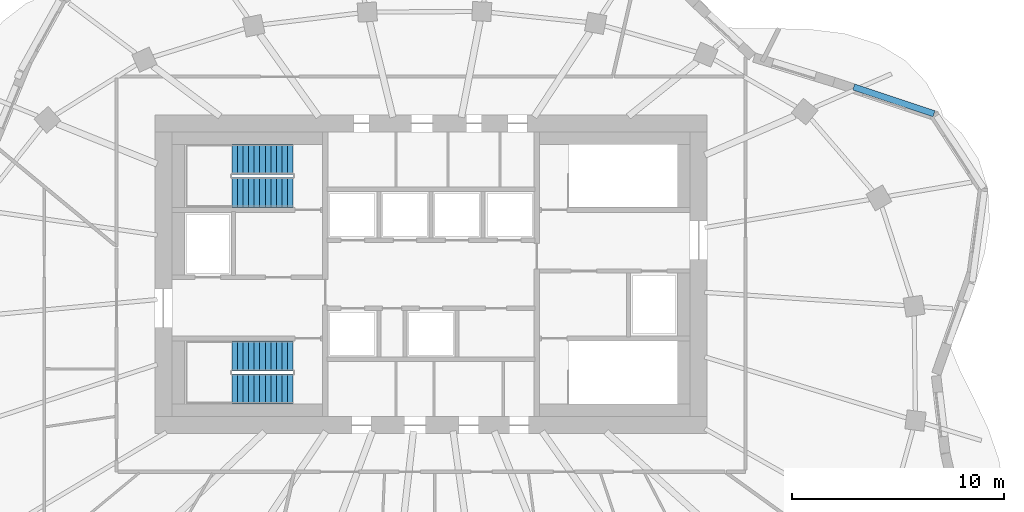
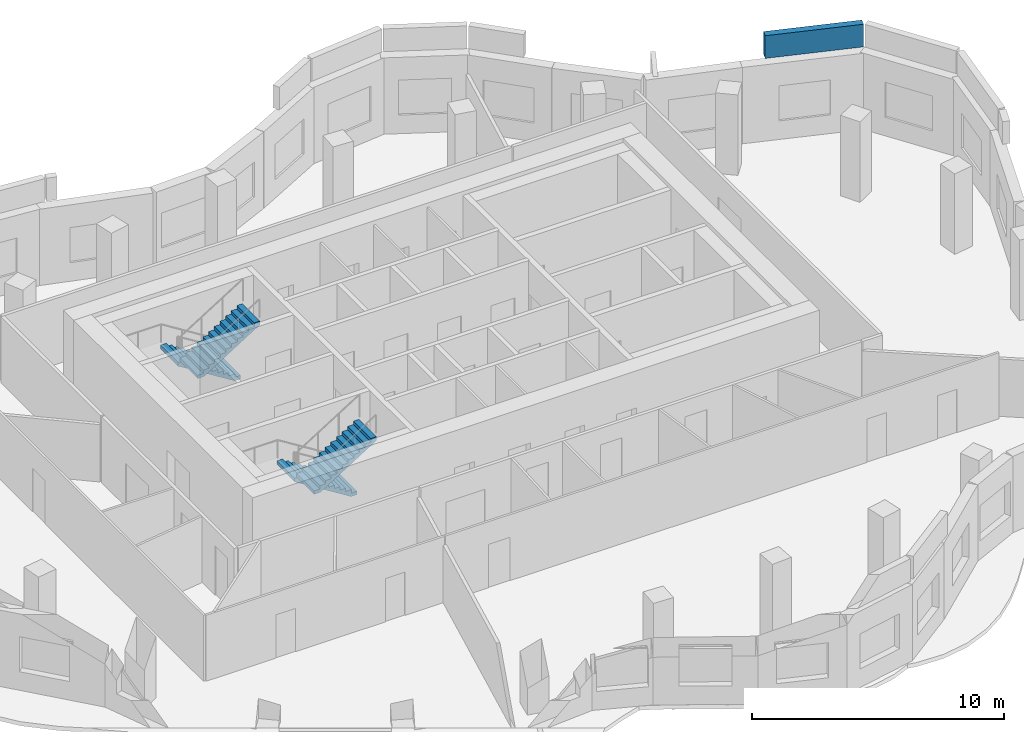
# One storey, part 8 of 9: 4 stair flights, 1 wall, 2 elements without a shape of their own.
"""IFC4 building model written with IfcOpenShell, lengths in metres."""

import ifcopenshell
import ifcopenshell.guid

model = None  # the IFC model being written
_history = None  # IfcOwnerHistory: only IFC2X3 demands one
_inside = {}  # id of a spatial element -> (the spatial element, [elements in it])
_under = {}  # id of a project, library or spatial element -> (it, [spatial elements below it])
_declared = {}  # id of a project -> (the project, [libraries it declares])
_typed = {}  # id of a type object -> (the type object, [elements of that type])
_made_of = {}  # id of a material, layer set ... -> (it, [elements and type objects made of it])


def new_model(schema):
    """Start an empty IFC model of exactly this schema.

    Asked for "IFC4X3", IfcOpenShell would pick the latest addendum, in which some entities
    have other attributes; the version numbers below select the first issue.
    IFC2X3 requires an IfcOwnerHistory on every rooted entity: one is made here for all.
    """
    global model, _history
    if schema == "IFC4X3":
        model = ifcopenshell.file(schema_version=(4, 3, 0, 0))
    else:
        model = ifcopenshell.file(schema=schema)
    _inside.clear()
    _under.clear()
    _declared.clear()
    _typed.clear()
    _made_of.clear()
    _history = None
    if model.schema == "IFC2X3":
        org = make("IfcOrganization", Name="unknown")
        user = make(
            "IfcPersonAndOrganization",
            ThePerson=make("IfcPerson", FamilyName="unknown"),
            TheOrganization=org,
        )
        app = make(
            "IfcApplication",
            ApplicationDeveloper=org,
            Version="unknown",
            ApplicationFullName="unknown",
            ApplicationIdentifier="unknown",
        )
        _history = make(
            "IfcOwnerHistory",
            OwningUser=user,
            OwningApplication=app,
            ChangeAction="ADDED",
            CreationDate=0,
        )
    return model


def make(cls, **values):
    """One entity of the class cls with the attributes given. An attribute that is None is left unset."""
    return model.create_entity(
        cls, **{name: value for name, value in values.items() if value is not None}
    )


def rooted(cls, **values):
    """An entity with a GlobalId (a new one), such as an element, a storey or a relation."""
    return make(cls, GlobalId=ifcopenshell.guid.new(), OwnerHistory=_history, **values)


def si_unit(unit_type, name, prefix=None):
    """IfcSIUnit, for example si_unit("LENGTHUNIT", "METRE", prefix="MILLI")."""
    return make("IfcSIUnit", UnitType=unit_type, Prefix=prefix, Name=name)


def assignment(units):
    """IfcUnitAssignment: the units of a project."""
    return None if units is None else make("IfcUnitAssignment", Units=units)


def point(xyz):
    """IfcCartesianPoint."""
    return None if xyz is None else make("IfcCartesianPoint", Coordinates=xyz)


def direction(xyz):
    """IfcDirection."""
    return None if xyz is None else make("IfcDirection", DirectionRatios=xyz)


def frame(location, z_axis=None, x_axis=None):
    """IfcAxis2Placement3D, a coordinate frame: its origin and axes. An axis left out is left unset."""
    return make(
        "IfcAxis2Placement3D",
        Location=point(location),
        Axis=direction(z_axis),
        RefDirection=direction(x_axis),
    )


def frame_2d(location, x_axis=None):
    """IfcAxis2Placement2D, a coordinate frame in the plane: its origin and x axis."""
    return make(
        "IfcAxis2Placement2D", Location=point(location), RefDirection=direction(x_axis)
    )


def origin():
    """The frame at (0, 0, 0) with its axes left unset."""
    return frame((0.0, 0.0, 0.0))


def place(relative_to, where):
    """IfcLocalPlacement: puts the frame where relative to a parent placement (None: the world)."""
    return make(
        "IfcLocalPlacement", PlacementRelTo=relative_to, RelativePlacement=where
    )


def context(
    kind, dimensions, precision=None, world=None, true_north=None, identifier=None
):
    """IfcGeometricRepresentationContext, for example the 3D "Model" context."""
    return make(
        "IfcGeometricRepresentationContext",
        ContextIdentifier=identifier,
        ContextType=kind,
        CoordinateSpaceDimension=dimensions,
        Precision=precision,
        WorldCoordinateSystem=world,
        TrueNorth=true_north,
    )


def subcontext(parent, identifier, kind, view, scale=None):
    """IfcGeometricRepresentationSubContext, for example "Body" below "Model"."""
    return make(
        "IfcGeometricRepresentationSubContext",
        ContextIdentifier=identifier,
        ContextType=kind,
        ParentContext=parent,
        TargetScale=scale,
        TargetView=view,
    )


def project(units=None, contexts=None):
    """IfcProject with its units and contexts."""
    return rooted(
        "IfcProject",
        Name="project",
        RepresentationContexts=contexts,
        UnitsInContext=assignment(units),
    )


def spatial(cls, under=None, at=None, **own):
    """A site, building, storey or space (cls), placed at a placement, below another one or the project."""
    s = rooted(cls, ObjectPlacement=at, **own)
    if under is not None:
        _under.setdefault(under.id(), (under, []))[1].append(s)
    return s


def polyline(points):
    """IfcPolyline through the points."""
    return make("IfcPolyline", Points=[point(p) for p in points])


def profile(cls, at=None, kind="AREA", **sizes):
    """A parametric profile (cls). Its sizes go by their IFC names, for example OverallWidth=200.0."""
    return make(cls, ProfileType=kind, Position=at, **sizes)


def rectangle(**sizes):
    """IfcRectangleProfileDef."""
    return profile("IfcRectangleProfileDef", **sizes)


def outline(outer, holes=None, kind="AREA"):
    """IfcArbitraryClosedProfileDef: a profile drawn as a closed curve; with holes, ...WithVoids."""
    if holes is None:
        return make("IfcArbitraryClosedProfileDef", ProfileType=kind, OuterCurve=outer)
    return make(
        "IfcArbitraryProfileDefWithVoids",
        ProfileType=kind,
        OuterCurve=outer,
        InnerCurves=holes,
    )


def extrude(swept, where, along, depth):
    """IfcExtrudedAreaSolid: the profile swept, set in the frame where, extruded along a direction by depth."""
    return make(
        "IfcExtrudedAreaSolid",
        SweptArea=swept,
        Position=where,
        ExtrudedDirection=direction(along),
        Depth=depth,
    )


def shape(context_of_items, identifier, shape_type, items):
    """IfcShapeRepresentation: the items that make up one representation, for example the "Body"."""
    return make(
        "IfcShapeRepresentation",
        ContextOfItems=context_of_items,
        RepresentationIdentifier=identifier,
        RepresentationType=shape_type,
        Items=items,
    )


def material(Name=None, Category=None):
    """IfcMaterial."""
    return make("IfcMaterial", Name=Name, Category=Category)


def layer(
    of_material, thickness, ventilated=None, Name=None, Category=None, Priority=None
):
    """IfcMaterialLayer: one layer of a wall or slab, of a material (None: an air gap)."""
    return make(
        "IfcMaterialLayer",
        Material=of_material,
        LayerThickness=thickness,
        IsVentilated=ventilated,
        Name=Name,
        Category=Category,
        Priority=Priority,
    )


def layer_set(layers, Name=None):
    """IfcMaterialLayerSet."""
    return make("IfcMaterialLayerSet", MaterialLayers=layers, LayerSetName=Name)


def made_of(thing, what):
    """Note that an element or type object is made of a material, layer set ...; save() writes the relation."""
    if what is not None:
        _made_of.setdefault(what.id(), (what, []))[1].append(thing)
    return thing


def type_object(cls, material=None, **own):
    """A type object (cls), such as IfcWallType, which elements share."""
    return made_of(rooted(cls, **own), material)


def element(
    cls,
    number,
    at=None,
    inside=None,
    cuts=None,
    type_object=None,
    material=None,
    context=None,
    identifier="Body",
    shape_type=None,
    held_by="IfcProductDefinitionShape",
    body=None,
    shapes=None,
    **own,
):
    """One element of the class cls, such as IfcWall. Its Tag is "e" and its number.

    at: its placement. inside: the storey or other place that contains it. cuts: it is an
    opening in that element (IfcRelVoidsElement). A single representation is given by context,
    identifier, shape_type and body (its items); several are given by shapes. held_by: the class
    of the entity that holds the representations. save() writes the other relations.
    """
    e = rooted(cls, Tag="e%d" % number, ObjectPlacement=at, **own)
    if body is not None:
        shapes = [shape(context, identifier, shape_type, body)]
    if shapes is not None:
        e.Representation = make(held_by, Representations=shapes)
    if inside is not None:
        _inside.setdefault(inside.id(), (inside, []))[1].append(e)
    if cuts is not None:
        rooted(
            "IfcRelVoidsElement", RelatingBuildingElement=cuts, RelatedOpeningElement=e
        )
    if type_object is not None:
        _typed.setdefault(type_object.id(), (type_object, []))[1].append(e)
    return made_of(e, material)


def aggregate(whole, parts):
    """IfcRelAggregates: a whole, such as a stair, and the parts it consists of."""
    return rooted("IfcRelAggregates", RelatingObject=whole, RelatedObjects=parts)


def save(model, path):
    """Write the relations noted so far, then the file.

    IfcRelAggregates (storeys below a building ...), IfcRelContainedInSpatialStructure (elements
    in a storey), IfcRelDefinesByType, IfcRelAssociatesMaterial and IfcRelDeclares: one each for
    every whole, place, type object, material and project.
    """
    for whole, parts in _under.values():
        aggregate(whole, parts)
    for where, things in _inside.values():
        rooted(
            "IfcRelContainedInSpatialStructure",
            RelatedElements=things,
            RelatingStructure=where,
        )
    for kind, things in _typed.values():
        rooted("IfcRelDefinesByType", RelatedObjects=things, RelatingType=kind)
    for what, things in _made_of.values():
        rooted("IfcRelAssociatesMaterial", RelatedObjects=things, RelatingMaterial=what)
    for by, libraries in _declared.values():
        rooted("IfcRelDeclares", RelatingContext=by, RelatedDefinitions=libraries)
    model.write(path)


model = new_model("IFC4")

# Units and contexts
model_context = context("Model", 3, precision=1e-05, world=origin(), true_north=direction((0.0, 1.0)))
body_context = subcontext(model_context, "Body", "Model", "MODEL_VIEW")
ifc_project = project(units=[si_unit("LENGTHUNIT", "METRE"), si_unit("AREAUNIT", "SQUARE_METRE"), si_unit("VOLUMEUNIT", "CUBIC_METRE"), si_unit("PLANEANGLEUNIT", "RADIAN"), si_unit("MASSUNIT", "GRAM", prefix="KILO")], contexts=[model_context])

# Site, building, storey
site_placement = place(None, origin())
site = spatial("IfcSite", under=ifc_project, at=site_placement, CompositionType="ELEMENT")
building_placement = place(site_placement, origin())
building = spatial("IfcBuilding", under=site, at=building_placement, Name="Rubra Terraces Tower", CompositionType="ELEMENT")
storey_placement = place(building_placement, frame((0.0, 0.0, 303.89990234375)))
storey = spatial("IfcBuildingStorey", under=building, at=storey_placement, Name="L75", CompositionType="ELEMENT", Elevation=303.89990234375)

# Wall
ifc_material_1 = material(Name="Brick masonry red-brown", Category="masonry")
ifc_layer = layer(ifc_material_1, 0.300048828125)
ifc_layer_set = layer_set([ifc_layer], Name="Brick masonry red-brown")
wall_type = type_object("IfcWallType", Name="Brick parapet 300", PredefinedType="PARAPET", material=ifc_layer_set)
wall_placement = place(storey_placement, frame((23.669677734375, 12.05029296875, 3.900146484375), z_axis=(0.0, 0.0, 1.0), x_axis=(-0.948652636514, 0.316319735766, 0.0)))
element("IfcWall", 1, at=wall_placement, inside=storey, type_object=wall_type, Name="Parapet L75 bay 4", PredefinedType="PARAPET", context=body_context, shape_type="SweptSolid", body=[
    extrude(rectangle(XDim=3.981689453125, YDim=0.300048828125, at=frame_2d((1.99072265625, 0.0))), origin(), (0.0, 0.0, 1.0), 1.099853515625),
])

# Stair, stair flights
ifc_material_2 = material(Name="Concrete C40", Category="concrete")
stair_type = type_object("IfcStairType", Name="Core stair 1400", PredefinedType="HALF_TURN_STAIR", material=ifc_material_2)
stair_1_placement = place(storey_placement, origin())
stair_1 = element("IfcStair", 2, at=stair_1_placement, inside=storey, type_object=stair_type, Name="L75 Exit stair S1", PredefinedType="HALF_TURN_STAIR")
stair_flight_type = type_object("IfcStairFlightType", Name="Core stair flight 1400", PredefinedType="STRAIGHT", material=ifc_material_2)
stair_flight_1_placement = place(storey_placement, frame((-6.5, 0.64990234375, 0.0), z_axis=(0.0, 0.0, 1.0), x_axis=(-1.0, 0.0, 0.0)))
stair_flight_1 = element("IfcStairFlight", 3, at=stair_flight_1_placement, type_object=stair_flight_type, Name="S1 flight 1", NumberOfRisers=12, NumberOfTreads=11, PredefinedType="STRAIGHT", RiserHeight=0.1625, TreadLength=0.26, context=body_context, shape_type="SweptSolid", body=[
    extrude(outline(polyline([(0.0, 0.0), (0.0, 0.16259765625), (0.260009765625, 0.16259765625), (0.260009765625, 0.324951171875), (0.52001953125, 0.324951171875), (0.52001953125, 0.487548828125), (0.780029296875, 0.487548828125), (0.780029296875, 0.64990234375), (1.0400390625, 0.64990234375), (1.0400390625, 0.8125), (1.300048828125, 0.8125), (1.300048828125, 0.97509765625), (1.56005859375, 0.97509765625), (1.56005859375, 1.137451171875), (1.820068359375, 1.137451171875), (1.820068359375, 1.300048828125), (2.080078125, 1.300048828125), (2.080078125, 1.46240234375), (2.340087890625, 1.46240234375), (2.340087890625, 1.625), (2.60009765625, 1.625), (2.60009765625, 1.78759765625), (2.860107421875, 1.78759765625), (2.860107421875, 1.949951171875), (2.860107421875, 1.61083984375), (0.28271484375, 0.0), (0.0, 0.0)])), frame((0.0, 0.699951171875, 0.0), z_axis=(0.0, -1.0, 0.0), x_axis=(1.0, 0.0, 0.0)), (0.0, 0.0, 1.0), 1.39990234375),
])
stair_flight_2_placement = place(storey_placement, frame((-9.360107421875, -0.89990234375, 1.9501953125), z_axis=(0.0, 0.0, 1.0), x_axis=(1.0, 0.0, 0.0)))
stair_flight_2 = element("IfcStairFlight", 4, at=stair_flight_2_placement, type_object=stair_flight_type, Name="S1 flight 2", NumberOfRisers=12, NumberOfTreads=11, PredefinedType="STRAIGHT", RiserHeight=0.1625, TreadLength=0.26, context=body_context, shape_type="SweptSolid", body=[
    extrude(outline(polyline([(0.0, 0.0), (0.0, 0.16259765625), (0.260009765625, 0.16259765625), (0.260009765625, 0.324951171875), (0.52001953125, 0.324951171875), (0.52001953125, 0.487548828125), (0.780029296875, 0.487548828125), (0.780029296875, 0.64990234375), (1.0400390625, 0.64990234375), (1.0400390625, 0.8125), (1.300048828125, 0.8125), (1.300048828125, 0.97509765625), (1.56005859375, 0.97509765625), (1.56005859375, 1.137451171875), (1.820068359375, 1.137451171875), (1.820068359375, 1.300048828125), (2.080078125, 1.300048828125), (2.080078125, 1.46240234375), (2.340087890625, 1.46240234375), (2.340087890625, 1.625), (2.60009765625, 1.625), (2.60009765625, 1.78759765625), (2.860107421875, 1.78759765625), (2.860107421875, 1.949951171875), (2.860107421875, 1.61083984375), (0.28271484375, 0.0), (0.0, 0.0)])), frame((0.0, 0.699951171875, 0.0), z_axis=(0.0, -1.0, 0.0), x_axis=(1.0, 0.0, 0.0)), (0.0, 0.0, 1.0), 1.39990234375),
])
aggregate(stair_1, [stair_flight_1, stair_flight_2])

stair_2_placement = place(storey_placement, origin())
stair_2 = element("IfcStair", 5, at=stair_2_placement, inside=storey, type_object=stair_type, Name="L75 Exit stair S2", PredefinedType="HALF_TURN_STAIR")
stair_flight_3_placement = place(storey_placement, frame((-6.5, 9.89990234375, 0.0), z_axis=(0.0, 0.0, 1.0), x_axis=(-1.0, 0.0, 0.0)))
stair_flight_3 = element("IfcStairFlight", 6, at=stair_flight_3_placement, type_object=stair_flight_type, Name="S2 flight 1", NumberOfRisers=12, NumberOfTreads=11, PredefinedType="STRAIGHT", RiserHeight=0.1625, TreadLength=0.26, context=body_context, shape_type="SweptSolid", body=[
    extrude(outline(polyline([(0.0, 0.0), (0.0, 0.16259765625), (0.260009765625, 0.16259765625), (0.260009765625, 0.324951171875), (0.52001953125, 0.324951171875), (0.52001953125, 0.487548828125), (0.780029296875, 0.487548828125), (0.780029296875, 0.64990234375), (1.0400390625, 0.64990234375), (1.0400390625, 0.8125), (1.300048828125, 0.8125), (1.300048828125, 0.97509765625), (1.56005859375, 0.97509765625), (1.56005859375, 1.137451171875), (1.820068359375, 1.137451171875), (1.820068359375, 1.300048828125), (2.080078125, 1.300048828125), (2.080078125, 1.46240234375), (2.340087890625, 1.46240234375), (2.340087890625, 1.625), (2.60009765625, 1.625), (2.60009765625, 1.78759765625), (2.860107421875, 1.78759765625), (2.860107421875, 1.949951171875), (2.860107421875, 1.61083984375), (0.28271484375, 0.0), (0.0, 0.0)])), frame((0.0, 0.699951171875, 0.0), z_axis=(0.0, -1.0, 0.0), x_axis=(1.0, 0.0, 0.0)), (0.0, 0.0, 1.0), 1.39990234375),
])
stair_flight_4_placement = place(storey_placement, frame((-9.360107421875, 8.35009765625, 1.9501953125), z_axis=(0.0, 0.0, 1.0), x_axis=(1.0, 0.0, 0.0)))
stair_flight_4 = element("IfcStairFlight", 7, at=stair_flight_4_placement, type_object=stair_flight_type, Name="S2 flight 2", NumberOfRisers=12, NumberOfTreads=11, PredefinedType="STRAIGHT", RiserHeight=0.1625, TreadLength=0.26, context=body_context, shape_type="SweptSolid", body=[
    extrude(outline(polyline([(0.0, 0.0), (0.0, 0.16259765625), (0.260009765625, 0.16259765625), (0.260009765625, 0.324951171875), (0.52001953125, 0.324951171875), (0.52001953125, 0.487548828125), (0.780029296875, 0.487548828125), (0.780029296875, 0.64990234375), (1.0400390625, 0.64990234375), (1.0400390625, 0.8125), (1.300048828125, 0.8125), (1.300048828125, 0.97509765625), (1.56005859375, 0.97509765625), (1.56005859375, 1.137451171875), (1.820068359375, 1.137451171875), (1.820068359375, 1.300048828125), (2.080078125, 1.300048828125), (2.080078125, 1.46240234375), (2.340087890625, 1.46240234375), (2.340087890625, 1.625), (2.60009765625, 1.625), (2.60009765625, 1.78759765625), (2.860107421875, 1.78759765625), (2.860107421875, 1.949951171875), (2.860107421875, 1.61083984375), (0.28271484375, 0.0), (0.0, 0.0)])), frame((0.0, 0.699951171875, 0.0), z_axis=(0.0, -1.0, 0.0), x_axis=(1.0, 0.0, 0.0)), (0.0, 0.0, 1.0), 1.39990234375),
])
aggregate(stair_2, [stair_flight_3, stair_flight_4])

save(model, "model.ifc")
